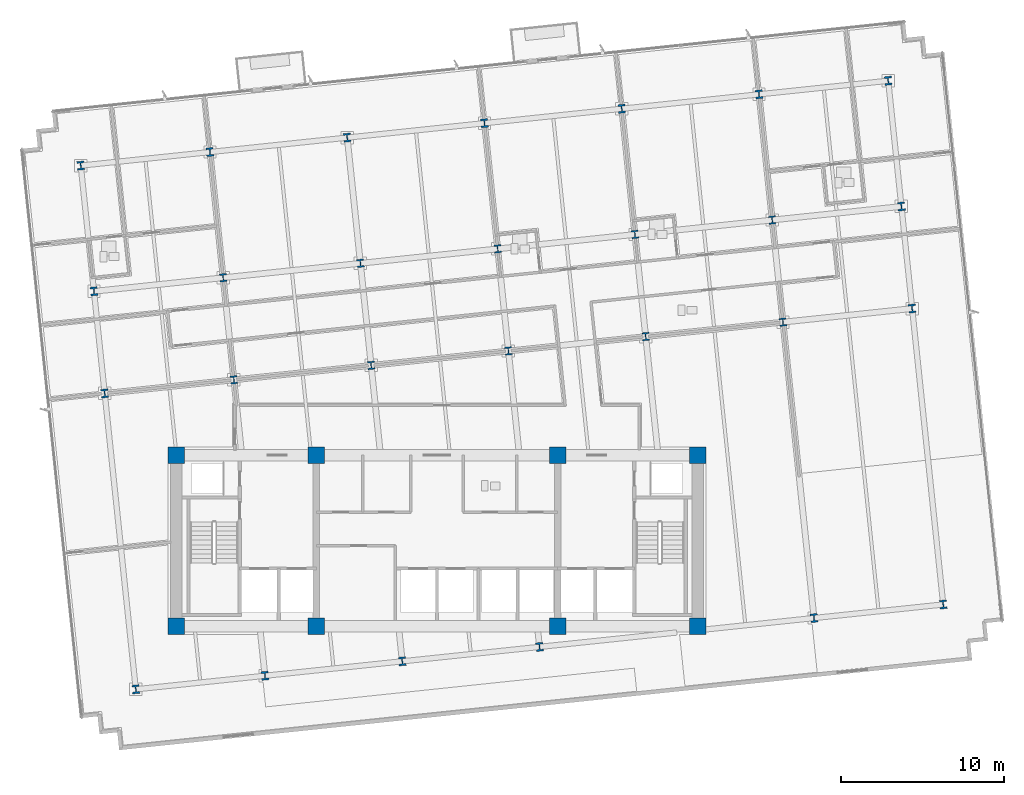
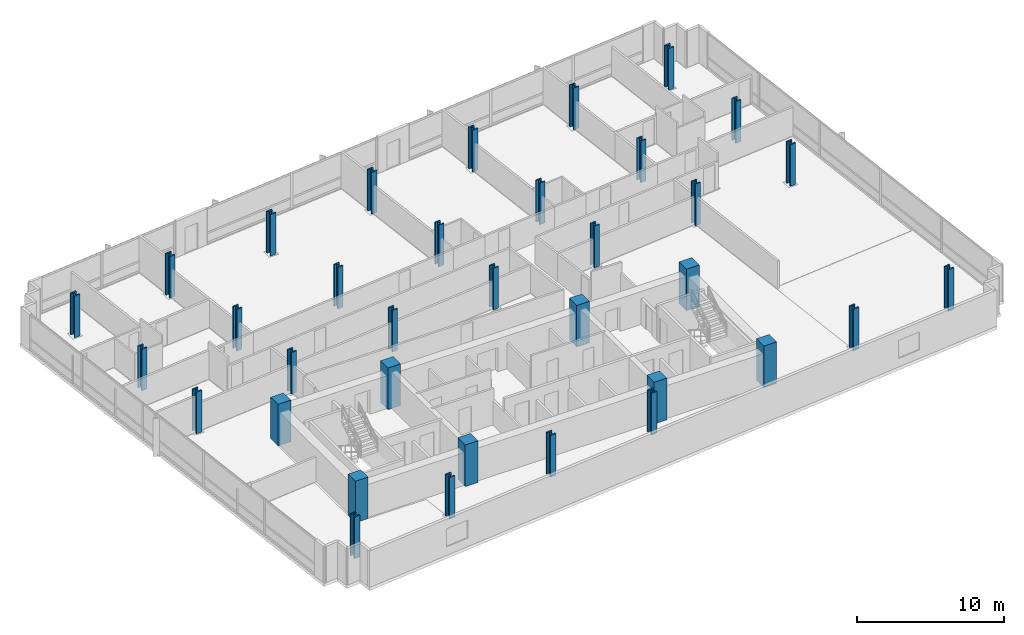
# One storey, part 1 of 18: 35 columns.
"""IFC4 building model written with IfcOpenShell, lengths in metres."""

from ifc_helpers import new_model, si_unit, direction, frame, origin, origin_2d, place, context, subcontext, project, spatial, rectangle, i_section, extrude, material, material_profile, profile_set, type_object, element, save


model = new_model("IFC4")

# Units and contexts
model_context = context("Model", 3, precision=1e-05, world=origin(), true_north=direction((0.0, 1.0)))
body_context = subcontext(model_context, "Body", "Model", "MODEL_VIEW")
ifc_project = project(units=[si_unit("LENGTHUNIT", "METRE"), si_unit("AREAUNIT", "SQUARE_METRE"), si_unit("VOLUMEUNIT", "CUBIC_METRE"), si_unit("PLANEANGLEUNIT", "RADIAN"), si_unit("MASSUNIT", "GRAM", prefix="KILO")], contexts=[model_context])

# Site, building, storey
site_placement = place(None, origin())
site = spatial("IfcSite", under=ifc_project, at=site_placement, CompositionType="ELEMENT")
building_placement = place(site_placement, origin())
building = spatial("IfcBuilding", under=site, at=building_placement, Name="Solmavex Isthmus Hotel", CompositionType="ELEMENT")
storey_placement = place(building_placement, frame((0.0, 0.0, 127.050048828125)))
storey = spatial("IfcBuildingStorey", under=building, at=storey_placement, Name="L34", CompositionType="ELEMENT", Elevation=127.050048828125)

# Columns
ifc_material_1 = material(Name="Concrete C60/75", Category="concrete")
ifc_material_profile_1 = material_profile(ifc_material_1, rectangle(XDim=1.0, YDim=1.0, at=origin_2d()), Name="RC1000X1000")
ifc_profile_set_1 = profile_set([ifc_material_profile_1], Name="Concrete C60/75")
column_type_1 = type_object("IfcColumnType", Name="COL-CC-1000", PredefinedType="COLUMN", material=ifc_profile_set_1)
for number, where, z_axis, x_axis, name in (
    (1, (-16.0, -13.0, 0.0), (0.0, 0.0, 1.0), (1.0, 0.0, 0.0), "Core Pilaster CC-SW L34"),
    (2, (-7.39990234375, -13.0, 0.0), (0.0, 0.0, 1.0), (1.0, 0.0, 0.0), "Core Pilaster CC-S1 L34"),
    (3, (7.39990234375, -13.0, 0.0), (0.0, 0.0, 1.0), (1.0, 0.0, 0.0), "Core Pilaster CC-S2 L34"),
    (4, (16.0, -13.0, 0.0), (0.0, 0.0, 1.0), (1.0, 0.0, 0.0), "Core Pilaster CC-SE L34"),
    (5, (-16.0, -2.5, 0.0), (0.0, 0.0, 1.0), (1.0, 0.0, 0.0), "Core Pilaster CC-NW L34"),
    (6, (-7.39990234375, -2.5, 0.0), (0.0, 0.0, 1.0), (1.0, 0.0, 0.0), "Core Pilaster CC-N1 L34"),
    (7, (7.39990234375, -2.5, 0.0), (0.0, 0.0, 1.0), (1.0, 0.0, 0.0), "Core Pilaster CC-N2 L34"),
    (8, (16.0, -2.5, 0.0), (0.0, 0.0, 1.0), (1.0, 0.0, 0.0), "Core Pilaster CC-NE L34"),
):
    element("IfcColumn", number, at=place(storey_placement, frame(where, z_axis=z_axis, x_axis=x_axis)), inside=storey, type_object=column_type_1, Name=name, PredefinedType="COLUMN", context=body_context, shape_type="SweptSolid", body=[
        extrude(rectangle(XDim=1.0, YDim=1.0, at=origin_2d()), origin(), (0.0, 0.0, 1.0), 3.449951171875),
    ])
ifc_material_2 = material(Name="Steel ASTM A913 Grade 65", Category="steel")
ifc_material_profile_2 = material_profile(ifc_material_2, i_section(OverallWidth=0.43212890625, OverallDepth=0.497802734375, WebThickness=0.0556640625, FlangeThickness=0.0888671875, FilletRadius=0.030517578125, at=origin_2d()), Name="W14X500")
ifc_profile_set_2 = profile_set([ifc_material_profile_2], Name="Steel ASTM A913 Grade 65")
column_type_2 = type_object("IfcColumnType", Name="COL-SC-W14X500", PredefinedType="COLUMN", material=ifc_profile_set_2)
for number, where, z_axis, x_axis, name in (
    (9, (-12.458740234375, 2.11865234375, 0.0), (0.0, 0.0, 1.0), (0.994521895368, 0.104528463268, 0.0), "Tower Column B2-U2V2 L34"),
    (10, (-13.1171875, 8.382080078125, 0.0), (0.0, 0.0, 1.0), (0.994521895368, 0.104528463268, 0.0), "Tower Column B2-U2V3 L34"),
    (11, (-4.0390625, 3.003662109375, 0.0), (0.0, 0.0, 1.0), (0.994521895368, 0.104528463268, 0.0), "Tower Column B2-U3V2 L34"),
    (12, (-4.697509765625, 9.26708984375, 0.0), (0.0, 0.0, 1.0), (0.994521895368, 0.104528463268, 0.0), "Tower Column B2-U3V3 L34"),
    (13, (4.38037109375, 3.888427734375, 0.0), (0.0, 0.0, 1.0), (0.994521895368, 0.104528463268, 0.0), "Tower Column B2-U4V2 L34"),
    (14, (3.72216796875, 10.152099609375, 0.0), (0.0, 0.0, 1.0), (0.994521895368, 0.104528463268, 0.0), "Tower Column B2-U4V3 L34"),
    (15, (12.800048828125, 4.7734375, 0.0), (0.0, 0.0, 1.0), (0.994521895368, 0.104528463268, 0.0), "Tower Column B2-U5V2 L34"),
    (16, (12.141845703125, 11.036865234375, 0.0), (0.0, 0.0, 1.0), (0.994521895368, 0.104528463268, 0.0), "Tower Column B2-U5V3 L34"),
    (17, (21.2197265625, 5.658447265625, 0.0), (0.0, 0.0, 1.0), (0.994521895368, 0.104528463268, 0.0), "Tower Column B2-U6V2 L34"),
    (18, (20.5615234375, 11.921875, 0.0), (0.0, 0.0, 1.0), (0.994521895368, 0.104528463268, 0.0), "Tower Column B2-U6V3 L34"),
):
    element("IfcColumn", number, at=place(storey_placement, frame(where, z_axis=z_axis, x_axis=x_axis)), inside=storey, type_object=column_type_2, Name=name, PredefinedType="COLUMN", context=body_context, shape_type="SweptSolid", body=[
        extrude(i_section(OverallWidth=0.43212890625, OverallDepth=0.497802734375, WebThickness=0.0556640625, FlangeThickness=0.0888671875, FilletRadius=0.030517578125, at=origin_2d()), origin(), (0.0, 0.0, 1.0), 3.449951171875),
    ])
ifc_material_profile_3 = material_profile(ifc_material_2, i_section(OverallWidth=0.442138671875, OverallDepth=0.531494140625, WebThickness=0.06591796875, FlangeThickness=0.105712890625, FilletRadius=0.030517578125, at=origin_2d()), Name="W14X605")
ifc_profile_set_3 = profile_set([ifc_material_profile_3], Name="Steel ASTM A913 Grade 65")
column_type_3 = type_object("IfcColumnType", Name="COL-SC-W14X605", PredefinedType="COLUMN", material=ifc_profile_set_3)
for number, where, z_axis, x_axis, name in (
    (19, (-18.475341796875, -16.8642578125, 0.0), (0.0, 0.0, 1.0), (0.994521895368, 0.104528463268, 0.0), "Tower Column B2-U1V1 L34"),
    (20, (-20.383056640625, 1.28564453125, 0.0), (0.0, 0.0, 1.0), (0.994521895368, 0.104528463268, 0.0), "Tower Column B2-U1V2 L34"),
    (21, (-21.04150390625, 7.54931640625, 0.0), (0.0, 0.0, 1.0), (0.994521895368, 0.104528463268, 0.0), "Tower Column B2-U1V3 L34"),
    (22, (-21.851806640625, 15.2587890625, 0.0), (0.0, 0.0, 1.0), (0.994521895368, 0.104528463268, 0.0), "Tower Column B2-U1V4 L34"),
    (23, (-10.551025390625, -16.031494140625, 0.0), (0.0, 0.0, 1.0), (0.994521895368, 0.104528463268, 0.0), "Tower Column B2-U2V1 L34"),
    (24, (-13.927490234375, 16.091552734375, 0.0), (0.0, 0.0, 1.0), (0.994521895368, 0.104528463268, 0.0), "Tower Column B2-U2V4 L34"),
    (25, (-2.131591796875, -15.146484375, 0.0), (0.0, 0.0, 1.0), (0.994521895368, 0.104528463268, 0.0), "Tower Column B2-U3V1 L34"),
    (26, (-5.5078125, 16.9765625, 0.0), (0.0, 0.0, 1.0), (0.994521895368, 0.104528463268, 0.0), "Tower Column B2-U3V4 L34"),
    (27, (6.2880859375, -14.261474609375, 0.0), (0.0, 0.0, 1.0), (0.994521895368, 0.104528463268, 0.0), "Tower Column B2-U4V1 L34"),
    (28, (2.911865234375, 17.861572265625, 0.0), (0.0, 0.0, 1.0), (0.994521895368, 0.104528463268, 0.0), "Tower Column B2-U4V4 L34"),
    (29, (11.33154296875, 18.74658203125, 0.0), (0.0, 0.0, 1.0), (0.994521895368, 0.104528463268, 0.0), "Tower Column B2-U5V4 L34"),
    (30, (23.12744140625, -12.49169921875, 0.0), (0.0, 0.0, 1.0), (0.994521895368, 0.104528463268, 0.0), "Tower Column B2-U6V1 L34"),
    (31, (19.751220703125, 19.63134765625, 0.0), (0.0, 0.0, 1.0), (0.994521895368, 0.104528463268, 0.0), "Tower Column B2-U6V4 L34"),
    (32, (31.0517578125, -11.65869140625, 0.0), (0.0, 0.0, 1.0), (0.994521895368, 0.104528463268, 0.0), "Tower Column B2-U7V1 L34"),
    (33, (29.14404296875, 6.4912109375, 0.0), (0.0, 0.0, 1.0), (0.994521895368, 0.104528463268, 0.0), "Tower Column B2-U7V2 L34"),
    (34, (28.48583984375, 12.754638671875, 0.0), (0.0, 0.0, 1.0), (0.994521895368, 0.104528463268, 0.0), "Tower Column B2-U7V3 L34"),
    (35, (27.675537109375, 20.46435546875, 0.0), (0.0, 0.0, 1.0), (0.994521895368, 0.104528463268, 0.0), "Tower Column B2-U7V4 L34"),
):
    element("IfcColumn", number, at=place(storey_placement, frame(where, z_axis=z_axis, x_axis=x_axis)), inside=storey, type_object=column_type_3, Name=name, PredefinedType="COLUMN", context=body_context, shape_type="SweptSolid", body=[
        extrude(i_section(OverallWidth=0.442138671875, OverallDepth=0.531494140625, WebThickness=0.06591796875, FlangeThickness=0.105712890625, FilletRadius=0.030517578125, at=origin_2d()), origin(), (0.0, 0.0, 1.0), 3.449951171875),
    ])

save(model, "model.ifc")
